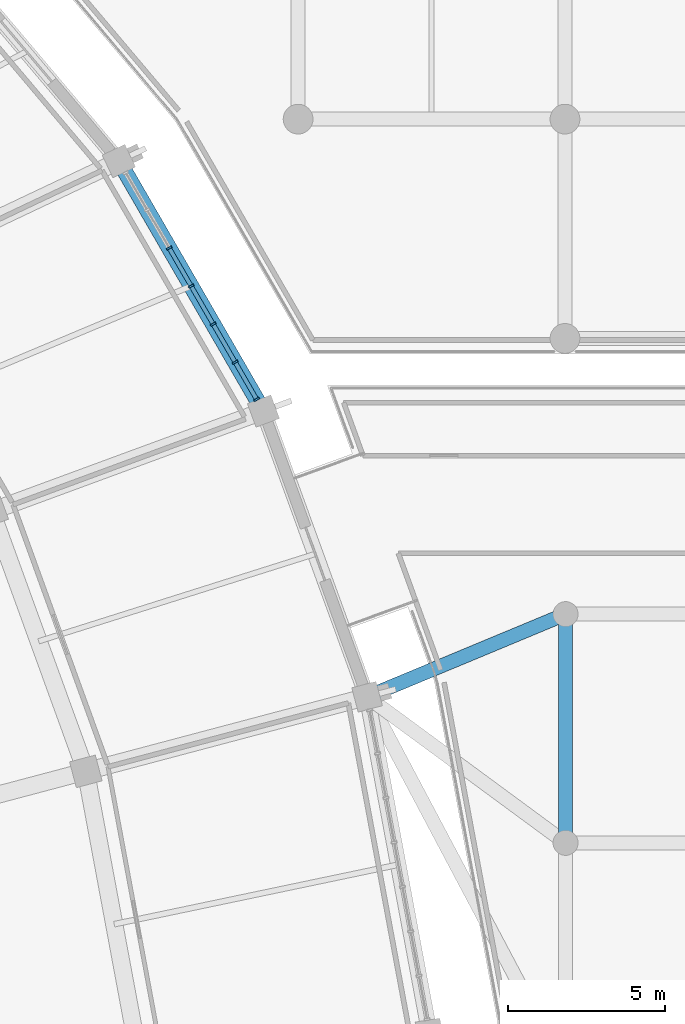
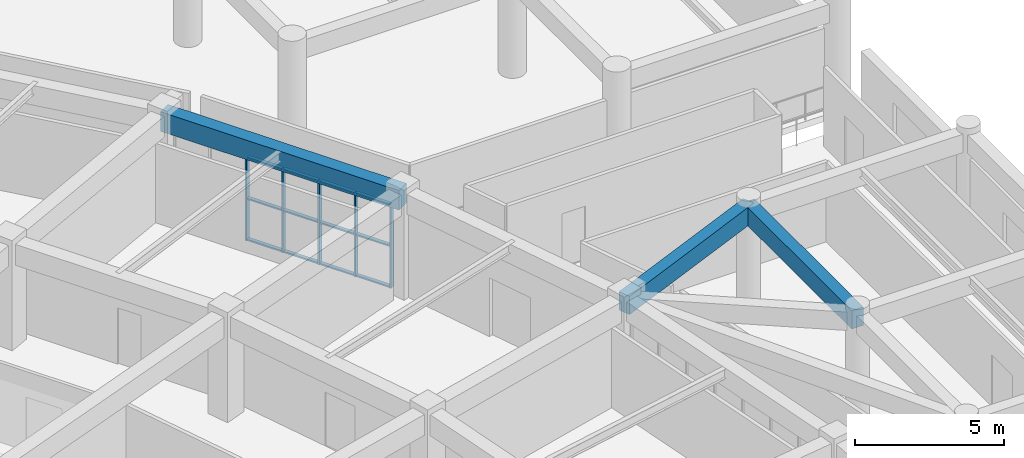
# One storey, part 53 of 145: 17 members, 3 beams, 1 element without a shape of its own.
"""IFC4 building model written with IfcOpenShell, lengths in metres."""

from ifc_helpers import new_model, si_unit, direction, frame, origin, origin_2d, place, context, subcontext, project, spatial, rectangle, extrude, material, layer, layer_set, material_profile, profile_set, type_object, element, aggregate, save


model = new_model("IFC4")

# Units and contexts
model_context = context("Model", 3, precision=1e-05, world=origin(), true_north=direction((0.0, 1.0)))
body_context = subcontext(model_context, "Body", "Model", "MODEL_VIEW")
ifc_project = project(units=[si_unit("LENGTHUNIT", "METRE"), si_unit("AREAUNIT", "SQUARE_METRE"), si_unit("VOLUMEUNIT", "CUBIC_METRE"), si_unit("PLANEANGLEUNIT", "RADIAN"), si_unit("MASSUNIT", "GRAM", prefix="KILO")], contexts=[model_context])

# Site, building, storey
site_placement = place(None, origin())
site = spatial("IfcSite", under=ifc_project, at=site_placement, CompositionType="ELEMENT")
building_placement = place(site_placement, origin())
building = spatial("IfcBuilding", under=site, at=building_placement, Name="Mphavela Belvedere Stadium", CompositionType="ELEMENT")
storey_placement = place(building_placement, frame((0.0, 0.0, 10.199951171875)))
storey = spatial("IfcBuildingStorey", under=building, at=storey_placement, Name="L02", CompositionType="ELEMENT", Elevation=10.199951171875)

# Beams
ifc_material_1 = material(Name="Concrete C40/50", Category="concrete")
ifc_material_profile_1 = material_profile(ifc_material_1, rectangle(XDim=0.449951171875, YDim=0.75, at=origin_2d()), Name="RC 450x750")
ifc_profile_set_1 = profile_set([ifc_material_profile_1], Name="Concrete C40/50")
beam_type_1 = type_object("IfcBeamType", Name="BM-RC450x750", PredefinedType="BEAM", material=ifc_profile_set_1)
beam_1_placement = place(storey_placement, frame((221.5, 108.89990234375, 3.864990234375), z_axis=(0.0, 1.0, 0.0), x_axis=(-1.0, 0.0, 0.0)))
element("IfcBeam", 1, at=beam_1_placement, inside=storey, type_object=beam_type_1, Name="East Planted Eaves Peristyle Colonnade entablature beam Y L02 8-9", PredefinedType="BEAM", context=body_context, shape_type="SweptSolid", body=[
    extrude(rectangle(XDim=0.449951171875, YDim=0.75, at=origin_2d()), origin(), (0.0, 0.0, 1.0), 7.300048828125),
])
beam_2_placement = place(storey_placement, frame((221.5, 116.199951171875, 3.864990234375), z_axis=(-0.923196868172, -0.38432738986, 0.0), x_axis=(0.38432738986, -0.923196868172, 0.0)))
element("IfcBeam", 2, at=beam_2_placement, inside=storey, type_object=beam_type_1, Name="East Planted Eaves Peristyle Colonnade bowl link girder L02-6", PredefinedType="BEAM", context=body_context, shape_type="SweptSolid", body=[
    extrude(rectangle(XDim=0.449951171875, YDim=0.75, at=origin_2d()), origin(), (0.0, 0.0, 1.0), 6.862548828125),
])
ifc_material_2 = material(Name="Concrete C40/50", Category="concrete")
ifc_material_profile_2 = material_profile(ifc_material_2, rectangle(XDim=0.5, YDim=0.800048828125, at=origin_2d()), Name="RC 500x800")
ifc_profile_set_2 = profile_set([ifc_material_profile_2], Name="Concrete C40/50")
beam_type_2 = type_object("IfcBeamType", Name="BM-SPANDREL-800", PredefinedType="SPANDREL", material=ifc_profile_set_2)
beam_3_placement = place(storey_placement, frame((211.856201171875, 122.682373046875, 3.85009765625), z_axis=(-0.500565297122, 0.865698783248, 0.0), x_axis=(-0.865698783248, -0.500565297122, 0.0)))
element("IfcBeam", 3, at=beam_3_placement, inside=storey, type_object=beam_type_2, Name="Circumferential girder L02 R4-04", PredefinedType="SPANDREL", context=body_context, shape_type="SweptSolid", body=[
    extrude(rectangle(XDim=0.5, YDim=0.800048828125, at=origin_2d()), origin(), (0.0, 0.0, 1.0), 9.217041015625),
])

# Curtain wall, members
ifc_material_3 = material(Name="Anodised bronze unitised curtain wall framing")
ifc_layer = layer(ifc_material_3, 0.18505859375)
ifc_layer_set = layer_set([ifc_layer], Name="Anodised bronze unitised curtain wall framing")
curtain_wall_type = type_object("IfcCurtainWallType", Name="CW-UNIT-02", PredefinedType="USERDEFINED", material=ifc_layer_set)
curtain_wall_placement = place(storey_placement, origin())
curtain_wall = element("IfcCurtainWall", 4, at=curtain_wall_placement, inside=storey, type_object=curtain_wall_type, Name="Belvedere colonnade curtain wall L02-04", ObjectType="UNITISED CURTAIN WALL", PredefinedType="USERDEFINED")
ifc_material_4 = material(Name="Anodised bronze extruded aluminium", Category="aluminium")
ifc_material_profile_3 = material_profile(ifc_material_4, rectangle(XDim=0.179931640625, YDim=0.06494140625, at=origin_2d()), Name="CW-MUL 180x65")
ifc_profile_set_3 = profile_set([ifc_material_profile_3], Name="Anodised bronze extruded aluminium")
member_type_1 = type_object("IfcMemberType", Name="CWM-180x65", PredefinedType="MULLION", material=ifc_profile_set_3)
member_1_placement = place(storey_placement, frame((211.640625, 123.054931640625, 0.0), z_axis=(0.0, 0.0, 1.0), x_axis=(-0.865700418213, -0.500562469533, 0.0)))
member_1 = element("IfcMember", 5, at=member_1_placement, type_object=member_type_1, Name="CW-02 mullion 1", PredefinedType="MULLION", context=body_context, shape_type="SweptSolid", body=[
    extrude(rectangle(XDim=0.179931640625, YDim=0.06494140625, at=origin_2d()), origin(), (0.0, 0.0, 1.0), 3.420166015625),
])
member_2_placement = place(storey_placement, frame((210.954345703125, 124.241943359375, 0.0), z_axis=(0.0, 0.0, 1.0), x_axis=(-0.865700418213, -0.500562469533, 0.0)))
member_2 = element("IfcMember", 6, at=member_2_placement, type_object=member_type_1, Name="CW-02 mullion 2", PredefinedType="MULLION", context=body_context, shape_type="SweptSolid", body=[
    extrude(rectangle(XDim=0.179931640625, YDim=0.06494140625, at=origin_2d()), origin(), (0.0, 0.0, 1.0), 3.420166015625),
])
member_3_placement = place(storey_placement, frame((210.251953125, 125.456787109375, 0.0), z_axis=(0.0, 0.0, 1.0), x_axis=(-0.865700418213, -0.500562469533, 0.0)))
member_3 = element("IfcMember", 7, at=member_3_placement, type_object=member_type_1, Name="CW-02 mullion 3", PredefinedType="MULLION", context=body_context, shape_type="SweptSolid", body=[
    extrude(rectangle(XDim=0.179931640625, YDim=0.06494140625, at=origin_2d()), origin(), (0.0, 0.0, 1.0), 3.420166015625),
])
member_4_placement = place(storey_placement, frame((209.54931640625, 126.671875, 0.0), z_axis=(0.0, 0.0, 1.0), x_axis=(-0.865700418213, -0.500562469533, 0.0)))
member_4 = element("IfcMember", 8, at=member_4_placement, type_object=member_type_1, Name="CW-02 mullion 4", PredefinedType="MULLION", context=body_context, shape_type="SweptSolid", body=[
    extrude(rectangle(XDim=0.179931640625, YDim=0.06494140625, at=origin_2d()), origin(), (0.0, 0.0, 1.0), 3.420166015625),
])
member_5_placement = place(storey_placement, frame((208.8466796875, 127.886962890625, 0.0), z_axis=(0.0, 0.0, 1.0), x_axis=(-0.865700418213, -0.500562469533, 0.0)))
member_5 = element("IfcMember", 9, at=member_5_placement, type_object=member_type_1, Name="CW-02 mullion 5", PredefinedType="MULLION", context=body_context, shape_type="SweptSolid", body=[
    extrude(rectangle(XDim=0.179931640625, YDim=0.06494140625, at=origin_2d()), origin(), (0.0, 0.0, 1.0), 3.420166015625),
])
ifc_material_5 = material(Name="Anodised bronze extruded aluminium", Category="aluminium")
ifc_material_profile_4 = material_profile(ifc_material_5, rectangle(XDim=0.139892578125, YDim=0.06005859375, at=origin_2d()), Name="CW-TRN 140x60")
ifc_profile_set_4 = profile_set([ifc_material_profile_4], Name="Anodised bronze extruded aluminium")
member_type_2 = type_object("IfcMemberType", Name="CWT-140x60", PredefinedType="USERDEFINED", material=ifc_profile_set_4)
member_6_placement = place(storey_placement, frame((211.624267578125, 123.083251953125, 0.030029296875), z_axis=(-0.500461351318, 0.865758878578, 0.0), x_axis=(-0.865758878578, -0.500461351318, 0.0)))
member_6 = element("IfcMember", 10, at=member_6_placement, type_object=member_type_2, Name="CW-02 transom 1.1", ObjectType="TRANSOM", PredefinedType="USERDEFINED", context=body_context, shape_type="SweptSolid", body=[
    extrude(rectangle(XDim=0.139892578125, YDim=0.06005859375, at=origin_2d()), origin(), (0.0, 0.0, 1.0), 1.305908203125),
])
member_7_placement = place(storey_placement, frame((211.624267578125, 123.083251953125, 1.7099609375), z_axis=(-0.500461351318, 0.865758878578, 0.0), x_axis=(-0.865758878578, -0.500461351318, 0.0)))
member_7 = element("IfcMember", 11, at=member_7_placement, type_object=member_type_2, Name="CW-02 transom 1.2", ObjectType="TRANSOM", PredefinedType="USERDEFINED", context=body_context, shape_type="SweptSolid", body=[
    extrude(rectangle(XDim=0.139892578125, YDim=0.06005859375, at=origin_2d()), origin(), (0.0, 0.0, 1.0), 1.305908203125),
])
member_8_placement = place(storey_placement, frame((211.624267578125, 123.083251953125, 3.39013671875), z_axis=(-0.500461351318, 0.865758878578, 0.0), x_axis=(-0.865758878578, -0.500461351318, 0.0)))
member_8 = element("IfcMember", 12, at=member_8_placement, type_object=member_type_2, Name="CW-02 transom 1.3", ObjectType="TRANSOM", PredefinedType="USERDEFINED", context=body_context, shape_type="SweptSolid", body=[
    extrude(rectangle(XDim=0.139892578125, YDim=0.06005859375, at=origin_2d()), origin(), (0.0, 0.0, 1.0), 1.305908203125),
])
member_9_placement = place(storey_placement, frame((210.93798828125, 124.27001953125, 0.030029296875), z_axis=(-0.50053285549, 0.865717540873, 0.0), x_axis=(-0.865717540873, -0.50053285549, 0.0)))
member_9 = element("IfcMember", 13, at=member_9_placement, type_object=member_type_2, Name="CW-02 transom 2.1", ObjectType="TRANSOM", PredefinedType="USERDEFINED", context=body_context, shape_type="SweptSolid", body=[
    extrude(rectangle(XDim=0.139892578125, YDim=0.06005859375, at=origin_2d()), origin(), (0.0, 0.0, 1.0), 1.33837890625),
])
member_10_placement = place(storey_placement, frame((210.93798828125, 124.27001953125, 1.7099609375), z_axis=(-0.50053285549, 0.865717540873, 0.0), x_axis=(-0.865717540873, -0.50053285549, 0.0)))
member_10 = element("IfcMember", 14, at=member_10_placement, type_object=member_type_2, Name="CW-02 transom 2.2", ObjectType="TRANSOM", PredefinedType="USERDEFINED", context=body_context, shape_type="SweptSolid", body=[
    extrude(rectangle(XDim=0.139892578125, YDim=0.06005859375, at=origin_2d()), origin(), (0.0, 0.0, 1.0), 1.33837890625),
])
member_11_placement = place(storey_placement, frame((210.93798828125, 124.27001953125, 3.39013671875), z_axis=(-0.50053285549, 0.865717540873, 0.0), x_axis=(-0.865717540873, -0.50053285549, 0.0)))
member_11 = element("IfcMember", 15, at=member_11_placement, type_object=member_type_2, Name="CW-02 transom 2.3", ObjectType="TRANSOM", PredefinedType="USERDEFINED", context=body_context, shape_type="SweptSolid", body=[
    extrude(rectangle(XDim=0.139892578125, YDim=0.06005859375, at=origin_2d()), origin(), (0.0, 0.0, 1.0), 1.33837890625),
])
member_12_placement = place(storey_placement, frame((210.235595703125, 125.485107421875, 0.030029296875), z_axis=(-0.50053285549, 0.865717540873, 0.0), x_axis=(-0.865717540873, -0.50053285549, 0.0)))
member_12 = element("IfcMember", 16, at=member_12_placement, type_object=member_type_2, Name="CW-02 transom 3.1", ObjectType="TRANSOM", PredefinedType="USERDEFINED", context=body_context, shape_type="SweptSolid", body=[
    extrude(rectangle(XDim=0.139892578125, YDim=0.06005859375, at=origin_2d()), origin(), (0.0, 0.0, 1.0), 1.33837890625),
])
member_13_placement = place(storey_placement, frame((210.235595703125, 125.485107421875, 1.7099609375), z_axis=(-0.50053285549, 0.865717540873, 0.0), x_axis=(-0.865717540873, -0.50053285549, 0.0)))
member_13 = element("IfcMember", 17, at=member_13_placement, type_object=member_type_2, Name="CW-02 transom 3.2", ObjectType="TRANSOM", PredefinedType="USERDEFINED", context=body_context, shape_type="SweptSolid", body=[
    extrude(rectangle(XDim=0.139892578125, YDim=0.06005859375, at=origin_2d()), origin(), (0.0, 0.0, 1.0), 1.33837890625),
])
member_14_placement = place(storey_placement, frame((210.235595703125, 125.485107421875, 3.39013671875), z_axis=(-0.50053285549, 0.865717540873, 0.0), x_axis=(-0.865717540873, -0.50053285549, 0.0)))
member_14 = element("IfcMember", 18, at=member_14_placement, type_object=member_type_2, Name="CW-02 transom 3.3", ObjectType="TRANSOM", PredefinedType="USERDEFINED", context=body_context, shape_type="SweptSolid", body=[
    extrude(rectangle(XDim=0.139892578125, YDim=0.06005859375, at=origin_2d()), origin(), (0.0, 0.0, 1.0), 1.33837890625),
])
member_15_placement = place(storey_placement, frame((209.532958984375, 126.699951171875, 0.030029296875), z_axis=(-0.500453823999, 0.865763229783, 0.0), x_axis=(-0.865763229783, -0.500453823999, 0.0)))
member_15 = element("IfcMember", 19, at=member_15_placement, type_object=member_type_2, Name="CW-02 transom 4.1", ObjectType="TRANSOM", PredefinedType="USERDEFINED", context=body_context, shape_type="SweptSolid", body=[
    extrude(rectangle(XDim=0.139892578125, YDim=0.06005859375, at=origin_2d()), origin(), (0.0, 0.0, 1.0), 1.338623046875),
])
member_16_placement = place(storey_placement, frame((209.532958984375, 126.699951171875, 1.7099609375), z_axis=(-0.500453823999, 0.865763229783, 0.0), x_axis=(-0.865763229783, -0.500453823999, 0.0)))
member_16 = element("IfcMember", 20, at=member_16_placement, type_object=member_type_2, Name="CW-02 transom 4.2", ObjectType="TRANSOM", PredefinedType="USERDEFINED", context=body_context, shape_type="SweptSolid", body=[
    extrude(rectangle(XDim=0.139892578125, YDim=0.06005859375, at=origin_2d()), origin(), (0.0, 0.0, 1.0), 1.338623046875),
])
member_17_placement = place(storey_placement, frame((209.532958984375, 126.699951171875, 3.39013671875), z_axis=(-0.500453823999, 0.865763229783, 0.0), x_axis=(-0.865763229783, -0.500453823999, 0.0)))
member_17 = element("IfcMember", 21, at=member_17_placement, type_object=member_type_2, Name="CW-02 transom 4.3", ObjectType="TRANSOM", PredefinedType="USERDEFINED", context=body_context, shape_type="SweptSolid", body=[
    extrude(rectangle(XDim=0.139892578125, YDim=0.06005859375, at=origin_2d()), origin(), (0.0, 0.0, 1.0), 1.338623046875),
])
aggregate(curtain_wall, [member_1, member_2, member_3, member_4, member_5, member_6, member_7, member_8, member_9, member_10, member_11, member_12, member_13, member_14, member_15, member_16, member_17])

save(model, "model.ifc")
